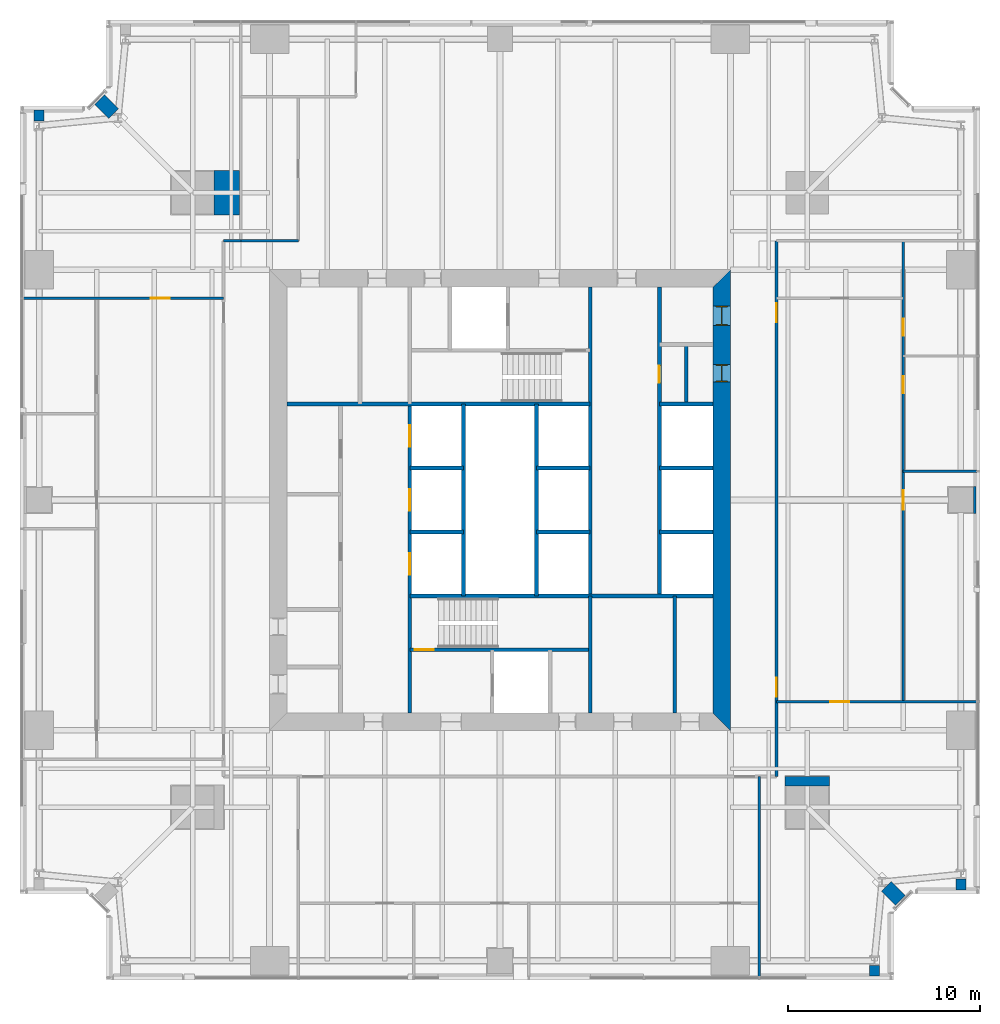
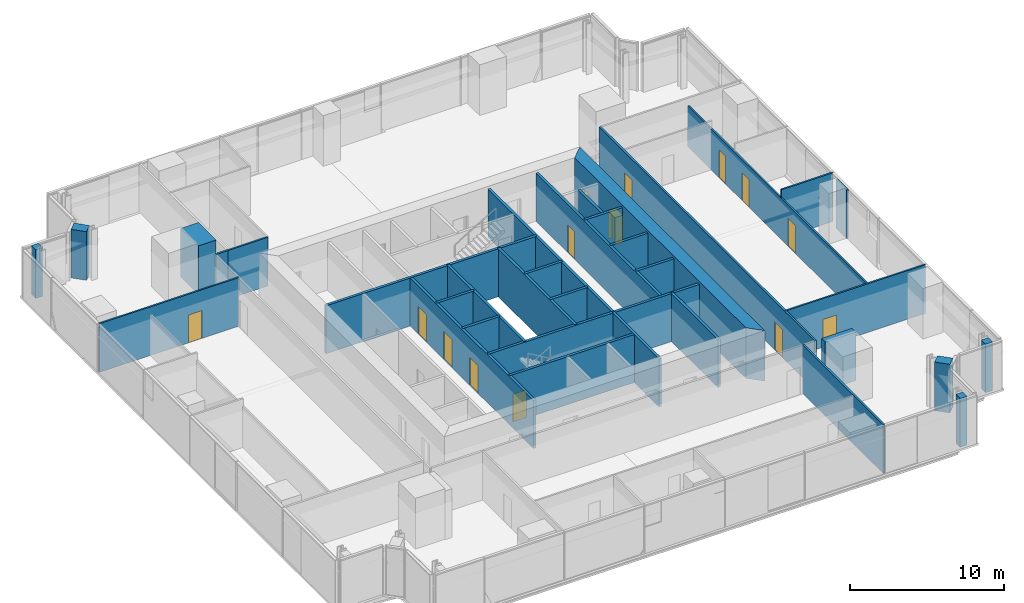
# One storey, part 10 of 13: 35 walls, 14 doors, 14 openings.
"""IFC4 building model written with IfcOpenShell, lengths in metres."""

from ifc_helpers import new_model, si_unit, direction, frame, frame_2d, origin, place, context, subcontext, project, spatial, polyline, rectangle, outline, extrude, material, layer, layer_set, type_object, element, fill, save


model = new_model("IFC4")

# Units and contexts
model_context = context("Model", 3, precision=1e-05, world=origin(), true_north=direction((0.0, 1.0)))
body_context = subcontext(model_context, "Body", "Model", "MODEL_VIEW")
ifc_project = project(units=[si_unit("LENGTHUNIT", "METRE"), si_unit("AREAUNIT", "SQUARE_METRE"), si_unit("VOLUMEUNIT", "CUBIC_METRE"), si_unit("PLANEANGLEUNIT", "RADIAN"), si_unit("MASSUNIT", "GRAM", prefix="KILO")], contexts=[model_context])

# Site, building, storey
site_placement = place(None, origin())
site = spatial("IfcSite", under=ifc_project, at=site_placement, CompositionType="ELEMENT")
building_placement = place(site_placement, origin())
building = spatial("IfcBuilding", under=site, at=building_placement, Name="Fenwick Lantern Interchange", CompositionType="ELEMENT")
storey_placement = place(building_placement, frame((0.0, 0.0, 142.39990234375)))
storey = spatial("IfcBuildingStorey", under=building, at=storey_placement, Name="L33", CompositionType="ELEMENT", Elevation=142.39990234375)

# Walls
ifc_material_1 = material(Name="Fire-rated gypsum board encasement on steel studs, 2 hour", Category="steel")
ifc_layer_1 = layer(ifc_material_1, 1.39990234375)
ifc_layer_set_1 = layer_set([ifc_layer_1], Name="COLUMN PIER 1400")
wall_type_1 = type_object("IfcWallType", Name="COLUMN PIER 1400", PredefinedType="PARTITIONING", material=ifc_layer_set_1)
wall_1_placement = place(storey_placement, frame((49.800048828125, 25.0, 0.0), z_axis=(0.0, 0.0, 1.0), x_axis=(-1.0, 0.0, 0.0)))
element("IfcWall", 1, at=wall_1_placement, inside=storey, type_object=wall_type_1, Name="L33/W/PIER/CE3", PredefinedType="PARTITIONING", context=body_context, shape_type="SweptSolid", body=[
    extrude(rectangle(XDim=0.150146484375, YDim=1.39990234375, at=frame_2d((0.0751953125, 0.0))), origin(), (0.0, 0.0, 1.0), 3.85009765625),
])
ifc_layer_2 = layer(ifc_material_1, 2.300048828125)
ifc_layer_set_2 = layer_set([ifc_layer_2], Name="COLUMN PIER 2300")
wall_type_2 = type_object("IfcWallType", Name="COLUMN PIER 2300", PredefinedType="PARTITIONING", material=ifc_layer_set_2)
wall_2_placement = place(storey_placement, frame((41.0, 10.60009765625, 0.0), z_axis=(0.0, 0.0, 1.0), x_axis=(0.0, -1.0, 0.0)))
element("IfcWall", 2, at=wall_2_placement, inside=storey, type_object=wall_type_2, Name="L33/W/PIER/M2", PredefinedType="PARTITIONING", context=body_context, shape_type="SweptSolid", body=[
    extrude(rectangle(XDim=0.5, YDim=2.300048828125, at=frame_2d((0.25, 0.0))), origin(), (0.0, 0.0, 1.0), 3.85009765625),
])
wall_3_placement = place(storey_placement, frame((11.425048828125, 41.0, 0.0), z_axis=(0.0, 0.0, 1.0), x_axis=(-1.0, 0.0, 0.0)))
element("IfcWall", 3, at=wall_3_placement, inside=storey, type_object=wall_type_2, Name="L33/W/PIER/M4", PredefinedType="PARTITIONING", context=body_context, shape_type="SweptSolid", body=[
    extrude(rectangle(XDim=1.324951171875, YDim=2.300048828125, at=frame_2d((0.66259765625, 0.0))), origin(), (0.0, 0.0, 1.0), 3.85009765625),
])
ifc_layer_3 = layer(ifc_material_1, 0.52392578125)
ifc_layer_set_3 = layer_set([ifc_layer_3], Name="COLUMN PIER 524")
wall_type_3 = type_object("IfcWallType", Name="COLUMN PIER 524", PredefinedType="PARTITIONING", material=ifc_layer_set_3)
for number, where, z_axis, x_axis, name in (
    (4, (44.5, 0.199951171875, 0.0), (0.0, 0.0, 1.0), (0.0, 1.0, 0.0), "L33/W/PIER/CS5"),
    (5, (49.0, 4.699951171875, 0.0), (0.0, 0.0, 1.0), (0.0, 1.0, 0.0), "L33/W/PIER/CE1"),
    (6, (1.0, 45.300048828125, 0.0), (0.0, 0.0, 1.0), (0.0, -1.0, 0.0), "L33/W/PIER/CW1"),
):
    element("IfcWall", number, at=place(storey_placement, frame(where, z_axis=z_axis, x_axis=x_axis)), inside=storey, type_object=wall_type_3, Name=name, PredefinedType="PARTITIONING", context=body_context, shape_type="SweptSolid", body=[
        extrude(rectangle(XDim=0.5625, YDim=0.52392578125, at=frame_2d((0.28125, 0.0))), origin(), (0.0, 0.0, 1.0), 3.85009765625),
    ])
ifc_layer_4 = layer(ifc_material_1, 0.736083984375)
ifc_layer_set_4 = layer_set([ifc_layer_4], Name="COLUMN PIER 736")
wall_type_4 = type_object("IfcWallType", Name="COLUMN PIER 736", PredefinedType="PARTITIONING", material=ifc_layer_set_4)
for number, where, z_axis, x_axis, name in (
    (7, (45.858642578125, 4.141357421875, 0.0), (0.0, 0.0, 1.0), (-0.707106781187, 0.707106781187, 0.0), "L33/W/PIER/CSR"),
    (8, (4.141357421875, 45.858642578125, 0.0), (0.0, 0.0, 1.0), (0.707106781187, -0.707106781187, 0.0), "L33/W/PIER/CNR"),
):
    element("IfcWall", number, at=place(storey_placement, frame(where, z_axis=z_axis, x_axis=x_axis)), inside=storey, type_object=wall_type_4, Name=name, PredefinedType="PARTITIONING", context=body_context, shape_type="SweptSolid", body=[
        extrude(rectangle(XDim=1.037841796875, YDim=0.736083984375, at=frame_2d((0.51904296875, 0.0))), origin(), (0.0, 0.0, 1.0), 3.85009765625),
    ])
ifc_material_2 = material(Name="Concrete masonry ASTM C90 Grade N", Category="masonry")
ifc_layer_5 = layer(ifc_material_2, 0.199951171875)
ifc_layer_set_5 = layer_set([ifc_layer_5], Name="Concrete masonry ASTM C90 Grade N")
wall_type_5 = type_object("IfcWallType", Name="CORE PARTITION 200", PredefinedType="PARTITIONING", material=ifc_layer_set_5)
for number, where, z_axis, x_axis, name in (
    (9, (20.300048828125, 23.333251953125, 0.0), (0.0, 0.0, 1.0), (1.0, 0.0, 0.0), "L33/W/CORES/e1"),
    (10, (20.300048828125, 26.666748046875, 0.0), (0.0, 0.0, 1.0), (1.0, 0.0, 0.0), "L33/W/CORES/e2"),
):
    element("IfcWall", number, at=place(storey_placement, frame(where, z_axis=z_axis, x_axis=x_axis)), inside=storey, type_object=wall_type_5, Name=name, PredefinedType="PARTITIONING", context=body_context, shape_type="SweptSolid", body=[
        extrude(rectangle(XDim=2.800048828125, YDim=0.199951171875, at=frame_2d((1.39990234375, 0.0))), origin(), (0.0, 0.0, 1.0), 3.800048828125),
    ])
wall_4_placement = place(storey_placement, frame((23.10009765625, 20.0, 0.0), z_axis=(0.0, 0.0, 1.0), x_axis=(0.0, 1.0, 0.0)))
element("IfcWall", 11, at=wall_4_placement, inside=storey, type_object=wall_type_5, Name="L33/W/CORES/e3", PredefinedType="PARTITIONING", context=body_context, shape_type="SweptSolid", body=[
    extrude(rectangle(XDim=10.0, YDim=0.199951171875, at=frame_2d((5.0, 0.0))), origin(), (0.0, 0.0, 1.0), 3.800048828125),
])
wall_5_placement = place(storey_placement, frame((34.10009765625, 13.89990234375, 0.0), z_axis=(0.0, 0.0, 1.0), x_axis=(0.0, 1.0, 0.0)))
element("IfcWall", 12, at=wall_5_placement, inside=storey, type_object=wall_type_5, Name="L33/W/CORES/i2", PredefinedType="PARTITIONING", context=body_context, shape_type="SweptSolid", body=[
    extrude(rectangle(XDim=6.10009765625, YDim=0.199951171875, at=frame_2d((3.050048828125, 0.0))), origin(), (0.0, 0.0, 1.0), 3.800048828125),
])

# Wall, opening, door
wall_6_placement = place(storey_placement, frame((33.300048828125, 36.10009765625, 0.0), z_axis=(0.0, 0.0, 1.0), x_axis=(0.0, -1.0, 0.0)))
wall_6 = element("IfcWall", 13, at=wall_6_placement, inside=storey, type_object=wall_type_5, Name="L33/W/COREN/a", PredefinedType="PARTITIONING", context=body_context, shape_type="SweptSolid", body=[
    extrude(rectangle(XDim=16.10009765625, YDim=0.199951171875, at=frame_2d((8.050048828125, 0.0))), origin(), (0.0, 0.0, 1.0), 3.800048828125),
])
opening_1_placement = place(wall_6_placement, frame((4.10009765625, 0.0, 0.0)))
opening_1 = element("IfcOpeningElement", 14, at=opening_1_placement, cuts=wall_6, Name="Opening L33-D018", PredefinedType="OPENING", context=body_context, shape_type="SweptSolid", body=[
    extrude(rectangle(XDim=0.89990234375, YDim=2.199951171875, at=frame_2d((0.449951171875, 1.10009765625))), frame((0.0, 0.10986328125, 0.0), z_axis=(0.0, -1.0, 0.0), x_axis=(1.0, 0.0, 0.0)), (0.0, 0.0, 1.0), 0.219970703125),
])
ifc_material_3 = material(Name="Steel door and frame", Category="steel")
door_type_1 = type_object("IfcDoorType", Name="SERVICE DOOR 900 X 2200", OperationType="SINGLE_SWING_LEFT", PredefinedType="DOOR", material=ifc_material_3)
door_1_placement = place(opening_1_placement, origin())
door_1 = element("IfcDoor", 15, at=door_1_placement, inside=storey, type_object=door_type_1, Name="Service door", OperationType="SINGLE_SWING_LEFT", OverallHeight=2.199951171875, OverallWidth=0.89990234375, PredefinedType="DOOR", context=body_context, shape_type="SweptSolid", body=[
    extrude(rectangle(XDim=0.89990234375, YDim=2.199951171875, at=frame_2d((0.449951171875, 1.10009765625))), frame((0.0, 0.02490234375, 0.0), z_axis=(0.0, -1.0, 0.0), x_axis=(1.0, 0.0, 0.0)), (0.0, 0.0, 1.0), 0.050048828125),
])
fill(opening_1, door_1)

# Walls
for number, where, z_axis, x_axis, name in (
    (16, (36.10009765625, 30.0, 0.0), (0.0, 0.0, 1.0), (-1.0, 0.0, 0.0), "L33/W/COREN/c2"),
    (17, (36.10009765625, 26.666748046875, 0.0), (0.0, 0.0, 1.0), (-1.0, 0.0, 0.0), "L33/W/COREN/d1"),
    (18, (36.10009765625, 23.333251953125, 0.0), (0.0, 0.0, 1.0), (-1.0, 0.0, 0.0), "L33/W/COREN/d2"),
    (19, (29.699951171875, 26.666748046875, 0.0), (0.0, 0.0, 1.0), (-1.0, 0.0, 0.0), "L33/W/COREN/e1"),
    (20, (29.699951171875, 23.333251953125, 0.0), (0.0, 0.0, 1.0), (-1.0, 0.0, 0.0), "L33/W/COREN/e2"),
):
    element("IfcWall", number, at=place(storey_placement, frame(where, z_axis=z_axis, x_axis=x_axis)), inside=storey, type_object=wall_type_5, Name=name, PredefinedType="PARTITIONING", context=body_context, shape_type="SweptSolid", body=[
        extrude(rectangle(XDim=2.800048828125, YDim=0.199951171875, at=frame_2d((1.39990234375, 0.0))), origin(), (0.0, 0.0, 1.0), 3.800048828125),
    ])
wall_7_placement = place(storey_placement, frame((26.89990234375, 30.0, 0.0), z_axis=(0.0, 0.0, 1.0), x_axis=(0.0, -1.0, 0.0)))
element("IfcWall", 21, at=wall_7_placement, inside=storey, type_object=wall_type_5, Name="L33/W/COREN/e3", PredefinedType="PARTITIONING", context=body_context, shape_type="SweptSolid", body=[
    extrude(rectangle(XDim=10.0, YDim=0.199951171875, at=frame_2d((5.0, 0.0))), origin(), (0.0, 0.0, 1.0), 3.800048828125),
])
wall_8_placement = place(storey_placement, frame((34.699951171875, 33.10009765625, 0.0), z_axis=(0.0, 0.0, 1.0), x_axis=(0.0, -1.0, 0.0)))
element("IfcWall", 22, at=wall_8_placement, inside=storey, type_object=wall_type_5, Name="L33/W/COREN/px", PredefinedType="PARTITIONING", context=body_context, shape_type="SweptSolid", body=[
    extrude(rectangle(XDim=3.10009765625, YDim=0.199951171875, at=frame_2d((1.550048828125, 0.0))), origin(), (0.0, 0.0, 1.0), 3.800048828125),
])

# Wall, openings, doors
ifc_material_4 = material(Name="Concrete f'c 70 MPa", Category="concrete")
ifc_layer_6 = layer(ifc_material_4, 0.89990234375)
ifc_layer_set_6 = layer_set([ifc_layer_6], Name="CORE WALL 900")
wall_type_6 = type_object("IfcWallType", Name="CORE WALL 900", PredefinedType="SHEAR", material=ifc_layer_set_6)
wall_9_placement = place(storey_placement, frame((36.550048828125, 13.89990234375, 0.0), z_axis=(0.0, 0.0, 1.0), x_axis=(0.0, 1.0, 0.0)))
wall_9 = element("IfcWall", 23, at=wall_9_placement, inside=storey, type_object=wall_type_6, Name="L33/CORE/E", PredefinedType="SHEAR", context=body_context, shape_type="SweptSolid", body=[
    extrude(outline(polyline([(-0.89990234375, -0.449951171875), (23.10009765625, -0.449951171875), (22.199951171875, 0.449951171875), (0.0, 0.449951171875), (-0.89990234375, -0.449951171875)])), origin(), (0.0, 0.0, 1.0), 4.0),
])
opening_2_placement = place(wall_9_placement, frame((20.199951171875, 0.0, 0.0)))
opening_2 = element("IfcOpeningElement", 24, at=opening_2_placement, cuts=wall_9, Name="Opening L33-D017", PredefinedType="OPENING", context=body_context, shape_type="SweptSolid", body=[
    extrude(rectangle(XDim=1.0, YDim=2.199951171875, at=frame_2d((0.5, 1.10009765625))), frame((0.0, 0.4599609375, 0.0), z_axis=(0.0, -1.0, 0.0), x_axis=(1.0, 0.0, 0.0)), (0.0, 0.0, 1.0), 0.919921875),
])
opening_3_placement = place(wall_9_placement, frame((17.25, 0.0, 0.0)))
opening_3 = element("IfcOpeningElement", 25, at=opening_3_placement, cuts=wall_9, Name="Opening L33-D019", PredefinedType="OPENING", context=body_context, shape_type="SweptSolid", body=[
    extrude(rectangle(XDim=0.89990234375, YDim=2.199951171875, at=frame_2d((0.449951171875, 1.10009765625))), frame((0.0, 0.4599609375, 0.0), z_axis=(0.0, -1.0, 0.0), x_axis=(1.0, 0.0, 0.0)), (0.0, 0.0, 1.0), 0.919921875),
])
door_2_placement = place(opening_3_placement, origin())
door_2 = element("IfcDoor", 26, at=door_2_placement, inside=storey, type_object=door_type_1, Name="Service door", OperationType="SINGLE_SWING_RIGHT", OverallHeight=2.199951171875, OverallWidth=0.89990234375, PredefinedType="DOOR", context=body_context, shape_type="SweptSolid", body=[
    extrude(rectangle(XDim=0.89990234375, YDim=2.199951171875, at=frame_2d((0.449951171875, 1.10009765625))), frame((0.0, 0.02490234375, 0.0), z_axis=(0.0, -1.0, 0.0), x_axis=(1.0, 0.0, 0.0)), (0.0, 0.0, 1.0), 0.050048828125),
    extrude(outline(polyline([(0.0, 0.0), (0.0400390625, 0.0), (0.0400390625, 2.159912109375), (0.85986328125, 2.159912109375), (0.85986328125, 0.0), (0.89990234375, 0.0), (0.89990234375, 2.199951171875), (0.0, 2.199951171875), (0.0, 0.0)])), frame((0.0, 0.300048828125, 0.0), z_axis=(0.0, -1.0, 0.0), x_axis=(1.0, 0.0, 0.0)), (0.0, 0.0, 1.0), 0.60009765625),
])
fill(opening_3, door_2)
ifc_material_5 = material(Name="Hardwood door and steel frame", Category="steel")
door_type_2 = type_object("IfcDoorType", Name="WC DOOR 1000 X 2200", OperationType="SINGLE_SWING_LEFT", PredefinedType="DOOR", material=ifc_material_5)
door_3_placement = place(opening_2_placement, origin())
door_3 = element("IfcDoor", 27, at=door_3_placement, inside=storey, type_object=door_type_2, Name="Wc door", OperationType="SINGLE_SWING_LEFT", OverallHeight=2.199951171875, OverallWidth=1.0, PredefinedType="DOOR", context=body_context, shape_type="SweptSolid", body=[
    extrude(rectangle(XDim=1.0, YDim=2.199951171875, at=frame_2d((0.5, 1.10009765625))), frame((0.0, 0.02490234375, 0.0), z_axis=(0.0, -1.0, 0.0), x_axis=(1.0, 0.0, 0.0)), (0.0, 0.0, 1.0), 0.050048828125),
    extrude(outline(polyline([(0.0, 0.0), (0.0400390625, 0.0), (0.0400390625, 2.159912109375), (0.9599609375, 2.159912109375), (0.9599609375, 0.0), (1.0, 0.0), (1.0, 2.199951171875), (0.0, 2.199951171875), (0.0, 0.0)])), frame((0.0, 0.300048828125, 0.0), z_axis=(0.0, -1.0, 0.0), x_axis=(1.0, 0.0, 0.0)), (0.0, 0.0, 1.0), 0.60009765625),
])
fill(opening_2, door_3)

ifc_material_6 = material(Name="Gypsum board on steel studs, 1 hour", Category="steel")
ifc_layer_7 = layer(ifc_material_6, 0.14990234375)
ifc_layer_set_7 = layer_set([ifc_layer_7], Name="CORRIDOR WALL 150")
wall_type_7 = type_object("IfcWallType", Name="CORRIDOR WALL 150", PredefinedType="PARTITIONING", material=ifc_layer_set_7)
wall_10_placement = place(storey_placement, frame((39.39990234375, 10.60009765625, 0.0), z_axis=(0.0, 0.0, 1.0), x_axis=(0.0, 1.0, 0.0)))
wall_10 = element("IfcWall", 28, at=wall_10_placement, inside=storey, type_object=wall_type_7, Name="L33/W/OFF/E/CW2", PredefinedType="PARTITIONING", context=body_context, shape_type="SweptSolid", body=[
    extrude(rectangle(XDim=27.89990234375, YDim=0.14990234375, at=frame_2d((13.949951171875, 0.0))), origin(), (0.0, 0.0, 1.0), 3.85009765625),
])
opening_4_placement = place(wall_10_placement, frame((4.14990234375, 0.0, 0.0)))
opening_4 = element("IfcOpeningElement", 29, at=opening_4_placement, cuts=wall_10, Name="Opening L33-D026", PredefinedType="OPENING", context=body_context, shape_type="SweptSolid", body=[
    extrude(rectangle(XDim=1.0, YDim=2.199951171875, at=frame_2d((0.5, 1.10009765625))), frame((0.0, 0.0849609375, 0.0), z_axis=(0.0, -1.0, 0.0), x_axis=(1.0, 0.0, 0.0)), (0.0, 0.0, 1.0), 0.169921875),
])
opening_5_placement = place(wall_10_placement, frame((23.64990234375, 0.0, 0.0)))
opening_5 = element("IfcOpeningElement", 30, at=opening_5_placement, cuts=wall_10, Name="Opening L33-D027", PredefinedType="OPENING", context=body_context, shape_type="SweptSolid", body=[
    extrude(rectangle(XDim=1.0, YDim=2.199951171875, at=frame_2d((0.5, 1.10009765625))), frame((0.0, 0.0849609375, 0.0), z_axis=(0.0, -1.0, 0.0), x_axis=(1.0, 0.0, 0.0)), (0.0, 0.0, 1.0), 0.169921875),
])
door_type_3 = type_object("IfcDoorType", Name="SUITE ENTRANCE DOOR 1000 X 2200", OperationType="SINGLE_SWING_LEFT", PredefinedType="DOOR", material=ifc_material_3)
door_4_placement = place(opening_4_placement, origin())
door_4 = element("IfcDoor", 31, at=door_4_placement, inside=storey, type_object=door_type_3, Name="Suite entrance door", OperationType="SINGLE_SWING_LEFT", OverallHeight=2.199951171875, OverallWidth=1.0, PredefinedType="DOOR", context=body_context, shape_type="SweptSolid", body=[
    extrude(rectangle(XDim=1.0, YDim=2.199951171875, at=frame_2d((0.5, 1.10009765625))), frame((0.0, 0.02490234375, 0.0), z_axis=(0.0, -1.0, 0.0), x_axis=(1.0, 0.0, 0.0)), (0.0, 0.0, 1.0), 0.050048828125),
])
fill(opening_4, door_4)
door_5_placement = place(opening_5_placement, origin())
door_5 = element("IfcDoor", 32, at=door_5_placement, inside=storey, type_object=door_type_3, Name="Suite entrance door", OperationType="SINGLE_SWING_RIGHT", OverallHeight=2.199951171875, OverallWidth=1.0, PredefinedType="DOOR", context=body_context, shape_type="SweptSolid", body=[
    extrude(rectangle(XDim=1.0, YDim=2.199951171875, at=frame_2d((0.5, 1.10009765625))), frame((0.0, 0.02490234375, 0.0), z_axis=(0.0, -1.0, 0.0), x_axis=(1.0, 0.0, 0.0)), (0.0, 0.0, 1.0), 0.050048828125),
])
fill(opening_5, door_5)

# Wall
wall_11_placement = place(storey_placement, frame((11.5, 38.5, 0.0), z_axis=(0.0, 0.0, 1.0), x_axis=(-1.0, 0.0, 0.0)))
element("IfcWall", 33, at=wall_11_placement, inside=storey, type_object=wall_type_7, Name="L33/W/OFF/W/CWJ", PredefinedType="PARTITIONING", context=body_context, shape_type="SweptSolid", body=[
    extrude(rectangle(XDim=0.89990234375, YDim=0.14990234375, at=frame_2d((0.449951171875, 0.0))), origin(), (0.0, 0.0, 1.0), 3.85009765625),
])

# Wall, opening, door
ifc_material_7 = material(Name="Gypsum board on steel studs, acoustic", Category="steel")
ifc_layer_8 = layer(ifc_material_7, 0.125)
ifc_layer_set_8 = layer_set([ifc_layer_8], Name="OFFICE PARTITION 125")
wall_type_8 = type_object("IfcWallType", Name="OFFICE PARTITION 125", PredefinedType="PARTITIONING", material=ifc_layer_set_8)
wall_12_placement = place(storey_placement, frame((49.85009765625, 14.5, 0.0), z_axis=(0.0, 0.0, 1.0), x_axis=(-1.0, 0.0, 0.0)))
wall_12 = element("IfcWall", 34, at=wall_12_placement, inside=storey, type_object=wall_type_8, Name="L33/W/OFF/E/X145-1", PredefinedType="PARTITIONING", context=body_context, shape_type="SweptSolid", body=[
    extrude(rectangle(XDim=10.4501953125, YDim=0.125, at=frame_2d((5.22509765625, 0.0))), origin(), (0.0, 0.0, 1.0), 3.85009765625),
])
opening_6_placement = place(wall_12_placement, frame((6.64990234375, 0.0, 0.0)))
opening_6 = element("IfcOpeningElement", 35, at=opening_6_placement, cuts=wall_12, Name="Opening L33-D028", PredefinedType="OPENING", context=body_context, shape_type="SweptSolid", body=[
    extrude(rectangle(XDim=1.0, YDim=2.199951171875, at=frame_2d((0.5, 1.10009765625))), frame((0.0, 0.072509765625, 0.0), z_axis=(0.0, -1.0, 0.0), x_axis=(1.0, 0.0, 0.0)), (0.0, 0.0, 1.0), 0.14501953125),
])
door_type_4 = type_object("IfcDoorType", Name="MEETING ROOM DOOR 1000 X 2200", OperationType="SINGLE_SWING_LEFT", PredefinedType="DOOR", material=ifc_material_5)
door_6_placement = place(opening_6_placement, origin())
door_6 = element("IfcDoor", 36, at=door_6_placement, inside=storey, type_object=door_type_4, Name="Meeting room door", OperationType="SINGLE_SWING_RIGHT", OverallHeight=2.199951171875, OverallWidth=1.0, PredefinedType="DOOR", context=body_context, shape_type="SweptSolid", body=[
    extrude(rectangle(XDim=1.0, YDim=2.199951171875, at=frame_2d((0.5, 1.10009765625))), frame((0.0, 0.02490234375, 0.0), z_axis=(0.0, -1.0, 0.0), x_axis=(1.0, 0.0, 0.0)), (0.0, 0.0, 1.0), 0.050048828125),
])
fill(opening_6, door_6)

# Wall
wall_13_placement = place(storey_placement, frame((49.85009765625, 26.5, 0.0), z_axis=(0.0, 0.0, 1.0), x_axis=(-1.0, 0.0, 0.0)))
element("IfcWall", 37, at=wall_13_placement, inside=storey, type_object=wall_type_8, Name="L33/W/OFF/E/X265-1", PredefinedType="PARTITIONING", context=body_context, shape_type="SweptSolid", body=[
    extrude(rectangle(XDim=3.85009765625, YDim=0.125, at=frame_2d((1.925048828125, 0.0))), origin(), (0.0, 0.0, 1.0), 3.85009765625),
])

# Wall, openings, doors
wall_14_placement = place(storey_placement, frame((46.0, 14.5, 0.0), z_axis=(0.0, 0.0, 1.0), x_axis=(0.0, 1.0, 0.0)))
wall_14 = element("IfcWall", 38, at=wall_14_placement, inside=storey, type_object=wall_type_8, Name="L33/W/OFF/E/Y40-1", PredefinedType="PARTITIONING", context=body_context, shape_type="SweptSolid", body=[
    extrude(rectangle(XDim=24.0, YDim=0.125, at=frame_2d((12.0, 0.0))), origin(), (0.0, 0.0, 1.0), 3.238037109375),
])
opening_7_placement = place(wall_14_placement, frame((10.0, 0.0, 0.0)))
opening_7 = element("IfcOpeningElement", 39, at=opening_7_placement, cuts=wall_14, Name="Opening L33-D029", PredefinedType="OPENING", context=body_context, shape_type="SweptSolid", body=[
    extrude(rectangle(XDim=1.0, YDim=2.199951171875, at=frame_2d((0.5, 1.10009765625))), frame((0.0, 0.072509765625, 0.0), z_axis=(0.0, -1.0, 0.0), x_axis=(1.0, 0.0, 0.0)), (0.0, 0.0, 1.0), 0.14501953125),
])
opening_8_placement = place(wall_14_placement, frame((16.050048828125, 0.0, 0.0)))
opening_8 = element("IfcOpeningElement", 40, at=opening_8_placement, cuts=wall_14, Name="Opening L33-D030", PredefinedType="OPENING", context=body_context, shape_type="SweptSolid", body=[
    extrude(rectangle(XDim=0.89990234375, YDim=2.199951171875, at=frame_2d((0.449951171875, 1.10009765625))), frame((0.0, 0.072509765625, 0.0), z_axis=(0.0, -1.0, 0.0), x_axis=(1.0, 0.0, 0.0)), (0.0, 0.0, 1.0), 0.14501953125),
])
opening_9_placement = place(wall_14_placement, frame((19.050048828125, 0.0, 0.0)))
opening_9 = element("IfcOpeningElement", 41, at=opening_9_placement, cuts=wall_14, Name="Opening L33-D031", PredefinedType="OPENING", context=body_context, shape_type="SweptSolid", body=[
    extrude(rectangle(XDim=0.89990234375, YDim=2.199951171875, at=frame_2d((0.449951171875, 1.10009765625))), frame((0.0, 0.072509765625, 0.0), z_axis=(0.0, -1.0, 0.0), x_axis=(1.0, 0.0, 0.0)), (0.0, 0.0, 1.0), 0.14501953125),
])
door_7_placement = place(opening_7_placement, frame((1.0, 0.0, 0.0), z_axis=(0.0, 0.0, 1.0), x_axis=(-1.0, 0.0, 0.0)))
door_7 = element("IfcDoor", 42, at=door_7_placement, inside=storey, type_object=door_type_4, Name="Meeting room door", OperationType="SINGLE_SWING_LEFT", OverallHeight=2.199951171875, OverallWidth=1.0, PredefinedType="DOOR", context=body_context, shape_type="SweptSolid", body=[
    extrude(rectangle(XDim=1.0, YDim=2.199951171875, at=frame_2d((0.5, 1.10009765625))), frame((0.0, 0.02490234375, 0.0), z_axis=(0.0, -1.0, 0.0), x_axis=(1.0, 0.0, 0.0)), (0.0, 0.0, 1.0), 0.050048828125),
])
fill(opening_7, door_7)
door_type_5 = type_object("IfcDoorType", Name="OFFICE DOOR 900 X 2200", OperationType="SINGLE_SWING_LEFT", PredefinedType="DOOR", material=ifc_material_5)
door_8_placement = place(opening_8_placement, frame((0.89990234375, 0.0, 0.0), z_axis=(0.0, 0.0, 1.0), x_axis=(-1.0, 0.0, 0.0)))
door_8 = element("IfcDoor", 43, at=door_8_placement, inside=storey, type_object=door_type_5, Name="Office door", OperationType="SINGLE_SWING_LEFT", OverallHeight=2.199951171875, OverallWidth=0.89990234375, PredefinedType="DOOR", context=body_context, shape_type="SweptSolid", body=[
    extrude(rectangle(XDim=0.89990234375, YDim=2.199951171875, at=frame_2d((0.449951171875, 1.10009765625))), frame((0.0, 0.02490234375, 0.0), z_axis=(0.0, -1.0, 0.0), x_axis=(1.0, 0.0, 0.0)), (0.0, 0.0, 1.0), 0.050048828125),
])
fill(opening_8, door_8)
door_9_placement = place(opening_9_placement, frame((0.89990234375, 0.0, 0.0), z_axis=(0.0, 0.0, 1.0), x_axis=(-1.0, 0.0, 0.0)))
door_9 = element("IfcDoor", 44, at=door_9_placement, inside=storey, type_object=door_type_5, Name="Office door", OperationType="SINGLE_SWING_RIGHT", OverallHeight=2.199951171875, OverallWidth=0.89990234375, PredefinedType="DOOR", context=body_context, shape_type="SweptSolid", body=[
    extrude(rectangle(XDim=0.89990234375, YDim=2.199951171875, at=frame_2d((0.449951171875, 1.10009765625))), frame((0.0, 0.02490234375, 0.0), z_axis=(0.0, -1.0, 0.0), x_axis=(1.0, 0.0, 0.0)), (0.0, 0.0, 1.0), 0.050048828125),
])
fill(opening_9, door_9)

# Wall
wall_15_placement = place(storey_placement, frame((14.5, 38.5, 0.0), z_axis=(0.0, 0.0, 1.0), x_axis=(-1.0, 0.0, 0.0)))
element("IfcWall", 45, at=wall_15_placement, inside=storey, type_object=wall_type_8, Name="L33/W/OFF/N/CWS1", PredefinedType="PARTITIONING", context=body_context, shape_type="SweptSolid", body=[
    extrude(rectangle(XDim=3.0, YDim=0.125, at=frame_2d((1.5, 0.0))), origin(), (0.0, 0.0, 1.0), 3.85009765625),
])

# Wall, opening, door
wall_16_placement = place(storey_placement, frame((0.14990234375, 35.5, 0.0), z_axis=(0.0, 0.0, 1.0), x_axis=(1.0, 0.0, 0.0)))
wall_16 = element("IfcWall", 46, at=wall_16_placement, inside=storey, type_object=wall_type_8, Name="L33/W/OFF/W/X145-1", PredefinedType="PARTITIONING", context=body_context, shape_type="SweptSolid", body=[
    extrude(rectangle(XDim=10.4501953125, YDim=0.125, at=frame_2d((5.22509765625, 0.0))), origin(), (0.0, 0.0, 1.0), 3.85009765625),
])
opening_10_placement = place(wall_16_placement, frame((6.64990234375, 0.0, 0.0)))
opening_10 = element("IfcOpeningElement", 47, at=opening_10_placement, cuts=wall_16, Name="Opening L33-D037", PredefinedType="OPENING", context=body_context, shape_type="SweptSolid", body=[
    extrude(rectangle(XDim=1.0, YDim=2.199951171875, at=frame_2d((0.5, 1.10009765625))), frame((0.0, 0.072509765625, 0.0), z_axis=(0.0, -1.0, 0.0), x_axis=(1.0, 0.0, 0.0)), (0.0, 0.0, 1.0), 0.14501953125),
])
door_10_placement = place(opening_10_placement, origin())
door_10 = element("IfcDoor", 48, at=door_10_placement, inside=storey, type_object=door_type_4, Name="Meeting room door", OperationType="SINGLE_SWING_RIGHT", OverallHeight=2.199951171875, OverallWidth=1.0, PredefinedType="DOOR", context=body_context, shape_type="SweptSolid", body=[
    extrude(rectangle(XDim=1.0, YDim=2.199951171875, at=frame_2d((0.5, 1.10009765625))), frame((0.0, 0.02490234375, 0.0), z_axis=(0.0, -1.0, 0.0), x_axis=(1.0, 0.0, 0.0)), (0.0, 0.0, 1.0), 0.050048828125),
])
fill(opening_10, door_10)

# Wall, openings, doors
ifc_material_8 = material(Name="Concrete f'c 45 MPa", Category="concrete")
ifc_layer_9 = layer(ifc_material_8, 0.199951171875)
ifc_layer_set_9 = layer_set([ifc_layer_9], Name="STAIR CORE WALL 200")
wall_type_9 = type_object("IfcWallType", Name="STAIR CORE WALL 200", PredefinedType="SOLIDWALL", material=ifc_layer_set_9)
wall_17_placement = place(storey_placement, frame((20.300048828125, 13.89990234375, 0.0), z_axis=(0.0, 0.0, 1.0), x_axis=(0.0, 1.0, 0.0)))
wall_17 = element("IfcWall", 49, at=wall_17_placement, inside=storey, type_object=wall_type_9, Name="L33/W/CORES/b", PredefinedType="SOLIDWALL", context=body_context, shape_type="SweptSolid", body=[
    extrude(rectangle(XDim=16.10009765625, YDim=0.199951171875, at=frame_2d((8.050048828125, 0.0))), origin(), (0.0, 0.0, 1.0), 3.800048828125),
])
opening_11_placement = place(wall_17_placement, frame((7.216552734375, 0.0, 0.0)))
opening_11 = element("IfcOpeningElement", 50, at=opening_11_placement, cuts=wall_17, Name="Opening LD-W2-1", PredefinedType="OPENING", context=body_context, shape_type="SweptSolid", body=[
    extrude(rectangle(XDim=1.10009765625, YDim=2.199951171875, at=frame_2d((0.550048828125, 1.10009765625))), frame((0.0, 0.10986328125, 0.0), z_axis=(0.0, -1.0, 0.0), x_axis=(1.0, 0.0, 0.0)), (0.0, 0.0, 1.0), 0.219970703125),
])
opening_12_placement = place(wall_17_placement, frame((10.550048828125, 0.0, 0.0)))
opening_12 = element("IfcOpeningElement", 51, at=opening_12_placement, cuts=wall_17, Name="Opening LD-W2-2", PredefinedType="OPENING", context=body_context, shape_type="SweptSolid", body=[
    extrude(rectangle(XDim=1.10009765625, YDim=2.199951171875, at=frame_2d((0.550048828125, 1.10009765625))), frame((0.0, 0.10986328125, 0.0), z_axis=(0.0, -1.0, 0.0), x_axis=(1.0, 0.0, 0.0)), (0.0, 0.0, 1.0), 0.219970703125),
])
opening_13_placement = place(wall_17_placement, frame((13.88330078125, 0.0, 0.0)))
opening_13 = element("IfcOpeningElement", 52, at=opening_13_placement, cuts=wall_17, Name="Opening LD-W2-3", PredefinedType="OPENING", context=body_context, shape_type="SweptSolid", body=[
    extrude(rectangle(XDim=1.10009765625, YDim=2.199951171875, at=frame_2d((0.550048828125, 1.10009765625))), frame((0.0, 0.10986328125, 0.0), z_axis=(0.0, -1.0, 0.0), x_axis=(1.0, 0.0, 0.0)), (0.0, 0.0, 1.0), 0.219970703125),
])
door_type_6 = type_object("IfcDoorType", Name="LIFT LANDING DOOR 1100 X 2200", OperationType="DOUBLE_DOOR_SLIDING", PredefinedType="DOOR", material=ifc_material_3)
door_11_placement = place(opening_11_placement, origin())
door_11 = element("IfcDoor", 53, at=door_11_placement, inside=storey, type_object=door_type_6, Name="Lift landing door W2-1", OperationType="DOUBLE_DOOR_SLIDING", OverallHeight=2.199951171875, OverallWidth=1.10009765625, PredefinedType="DOOR", context=body_context, shape_type="SweptSolid", body=[
    extrude(rectangle(XDim=1.10009765625, YDim=2.199951171875, at=frame_2d((0.550048828125, 1.10009765625))), frame((0.0, 0.02490234375, 0.0), z_axis=(0.0, -1.0, 0.0), x_axis=(1.0, 0.0, 0.0)), (0.0, 0.0, 1.0), 0.050048828125),
])
fill(opening_11, door_11)
door_12_placement = place(opening_12_placement, origin())
door_12 = element("IfcDoor", 54, at=door_12_placement, inside=storey, type_object=door_type_6, Name="Lift landing door W2-2", OperationType="DOUBLE_DOOR_SLIDING", OverallHeight=2.199951171875, OverallWidth=1.10009765625, PredefinedType="DOOR", context=body_context, shape_type="SweptSolid", body=[
    extrude(rectangle(XDim=1.10009765625, YDim=2.199951171875, at=frame_2d((0.550048828125, 1.10009765625))), frame((0.0, 0.02490234375, 0.0), z_axis=(0.0, -1.0, 0.0), x_axis=(1.0, 0.0, 0.0)), (0.0, 0.0, 1.0), 0.050048828125),
])
fill(opening_12, door_12)
door_13_placement = place(opening_13_placement, origin())
door_13 = element("IfcDoor", 55, at=door_13_placement, inside=storey, type_object=door_type_6, Name="Lift landing door W2-3", OperationType="DOUBLE_DOOR_SLIDING", OverallHeight=2.199951171875, OverallWidth=1.10009765625, PredefinedType="DOOR", context=body_context, shape_type="SweptSolid", body=[
    extrude(rectangle(XDim=1.10009765625, YDim=2.199951171875, at=frame_2d((0.550048828125, 1.10009765625))), frame((0.0, 0.02490234375, 0.0), z_axis=(0.0, -1.0, 0.0), x_axis=(1.0, 0.0, 0.0)), (0.0, 0.0, 1.0), 0.050048828125),
])
fill(opening_13, door_13)

# Wall, opening, door
wall_18_placement = place(storey_placement, frame((20.300048828125, 17.199951171875, 0.0), z_axis=(0.0, 0.0, 1.0), x_axis=(1.0, 0.0, 0.0)))
wall_18 = element("IfcWall", 56, at=wall_18_placement, inside=storey, type_object=wall_type_9, Name="L33/W/CORES/g1", PredefinedType="SOLIDWALL", context=body_context, shape_type="SweptSolid", body=[
    extrude(rectangle(XDim=9.39990234375, YDim=0.199951171875, at=frame_2d((4.699951171875, 0.0))), origin(), (0.0, 0.0, 1.0), 3.800048828125),
])
opening_14_placement = place(wall_18_placement, frame((0.25, 0.0, 0.0)))
opening_14 = element("IfcOpeningElement", 57, at=opening_14_placement, cuts=wall_18, Name="Opening L33-D003", PredefinedType="OPENING", context=body_context, shape_type="SweptSolid", body=[
    extrude(rectangle(XDim=1.0, YDim=2.199951171875, at=frame_2d((0.5, 1.10009765625))), frame((0.0, 0.10986328125, 0.0), z_axis=(0.0, -1.0, 0.0), x_axis=(1.0, 0.0, 0.0)), (0.0, 0.0, 1.0), 0.219970703125),
])
door_type_7 = type_object("IfcDoorType", Name="STAIR DOOR 1000 X 2200", OperationType="SINGLE_SWING_LEFT", PredefinedType="DOOR", material=ifc_material_3)
door_14_placement = place(opening_14_placement, origin())
door_14 = element("IfcDoor", 58, at=door_14_placement, inside=storey, type_object=door_type_7, Name="Stair door", OperationType="SINGLE_SWING_LEFT", OverallHeight=2.199951171875, OverallWidth=1.0, PredefinedType="DOOR", context=body_context, shape_type="SweptSolid", body=[
    extrude(rectangle(XDim=1.0, YDim=2.199951171875, at=frame_2d((0.5, 1.10009765625))), frame((0.0, 0.02490234375, 0.0), z_axis=(0.0, -1.0, 0.0), x_axis=(1.0, 0.0, 0.0)), (0.0, 0.0, 1.0), 0.050048828125),
])
fill(opening_14, door_14)

# Walls
wall_19_placement = place(storey_placement, frame((20.300048828125, 20.0, 0.0), z_axis=(0.0, 0.0, 1.0), x_axis=(1.0, 0.0, 0.0)))
element("IfcWall", 59, at=wall_19_placement, inside=storey, type_object=wall_type_9, Name="L33/W/CORES/g2", PredefinedType="SOLIDWALL", context=body_context, shape_type="SweptSolid", body=[
    extrude(rectangle(XDim=15.800048828125, YDim=0.199951171875, at=frame_2d((7.89990234375, 0.0))), origin(), (0.0, 0.0, 1.0), 3.800048828125),
])
wall_20_placement = place(storey_placement, frame((29.699951171875, 13.89990234375, 0.0), z_axis=(0.0, 0.0, 1.0), x_axis=(0.0, 1.0, 0.0)))
element("IfcWall", 60, at=wall_20_placement, inside=storey, type_object=wall_type_9, Name="L33/W/CORES/i1", PredefinedType="SOLIDWALL", context=body_context, shape_type="SweptSolid", body=[
    extrude(rectangle(XDim=6.10009765625, YDim=0.199951171875, at=frame_2d((3.050048828125, 0.0))), origin(), (0.0, 0.0, 1.0), 3.800048828125),
])
wall_21_placement = place(storey_placement, frame((29.699951171875, 36.10009765625, 0.0), z_axis=(0.0, 0.0, 1.0), x_axis=(0.0, -1.0, 0.0)))
element("IfcWall", 61, at=wall_21_placement, inside=storey, type_object=wall_type_9, Name="L33/W/COREN/b", PredefinedType="SOLIDWALL", context=body_context, shape_type="SweptSolid", body=[
    extrude(rectangle(XDim=16.10009765625, YDim=0.199951171875, at=frame_2d((8.050048828125, 0.0))), origin(), (0.0, 0.0, 1.0), 3.800048828125),
])
wall_22_placement = place(storey_placement, frame((29.699951171875, 30.0, 0.0), z_axis=(0.0, 0.0, 1.0), x_axis=(-1.0, 0.0, 0.0)))
element("IfcWall", 62, at=wall_22_placement, inside=storey, type_object=wall_type_9, Name="L33/W/COREN/g2", PredefinedType="SOLIDWALL", context=body_context, shape_type="SweptSolid", body=[
    extrude(rectangle(XDim=15.800048828125, YDim=0.199951171875, at=frame_2d((7.89990234375, 0.0))), origin(), (0.0, 0.0, 1.0), 3.800048828125),
])
ifc_material_9 = material(Name="Gypsum board on steel studs, 1 hour acoustic", Category="steel")
ifc_layer_10 = layer(ifc_material_9, 0.14990234375)
ifc_layer_set_10 = layer_set([ifc_layer_10], Name="TENANT WALL 150")
wall_type_10 = type_object("IfcWallType", Name="TENANT WALL 150", PredefinedType="PARTITIONING", material=ifc_layer_set_10)
wall_23_placement = place(storey_placement, frame((38.5, 0.14990234375, 0.0), z_axis=(0.0, 0.0, 1.0), x_axis=(0.0, 1.0, 0.0)))
element("IfcWall", 63, at=wall_23_placement, inside=storey, type_object=wall_type_10, Name="L33/W/OFF/E/BACK", PredefinedType="PARTITIONING", context=body_context, shape_type="SweptSolid", body=[
    extrude(rectangle(XDim=10.4501953125, YDim=0.14990234375, at=frame_2d((5.22509765625, 0.0))), origin(), (0.0, 0.0, 1.0), 3.85009765625),
])

save(model, "model.ifc")
